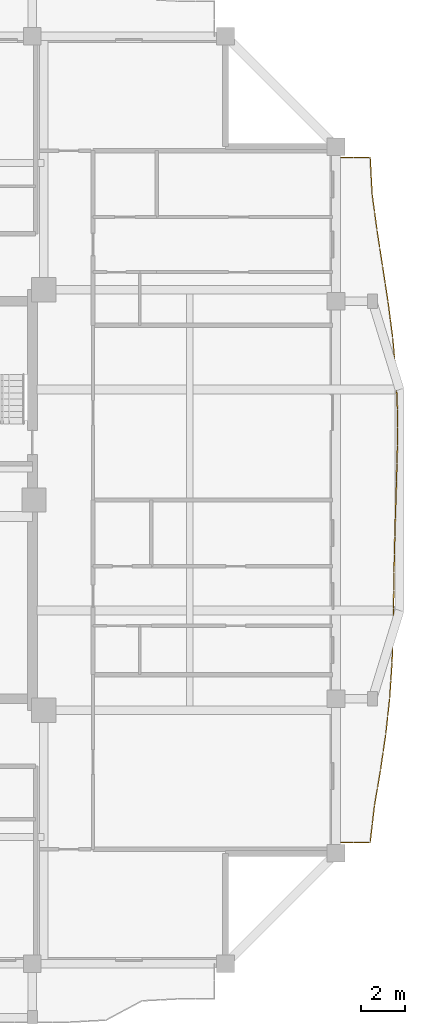
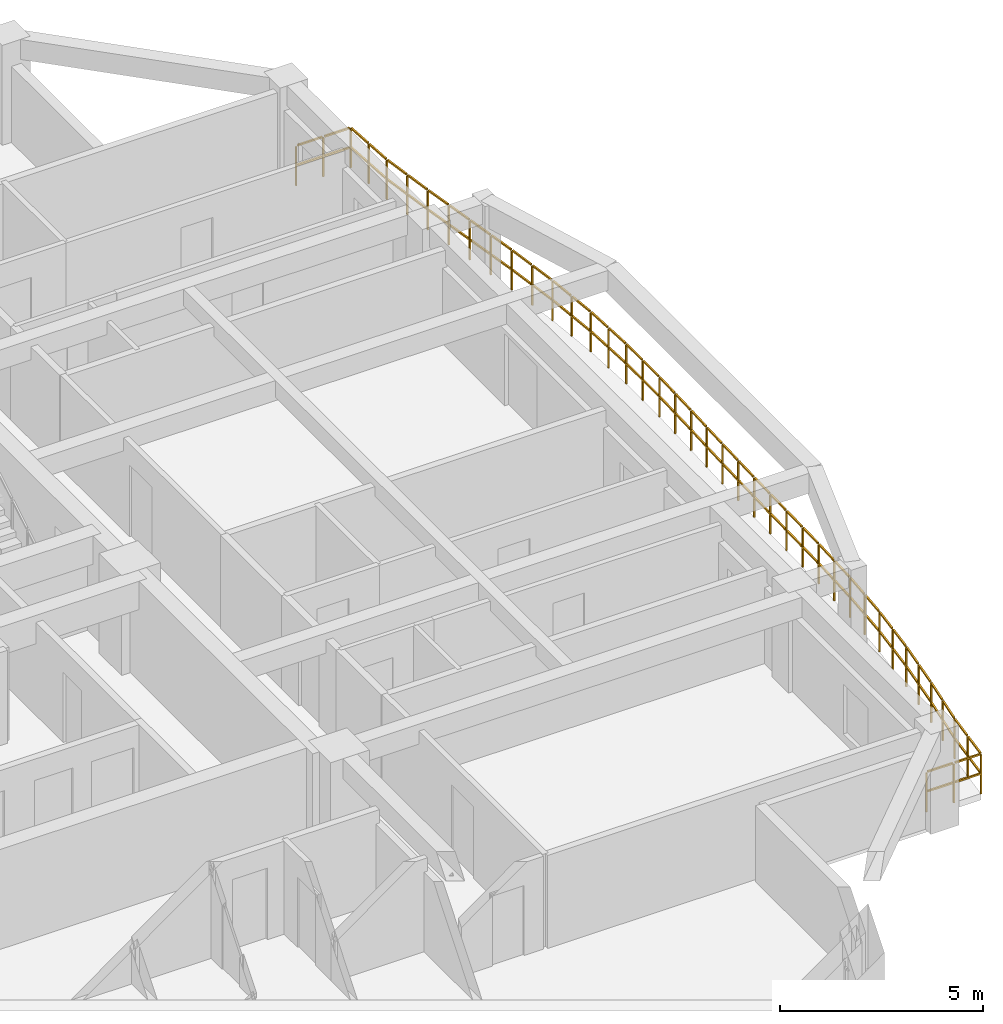
# One storey, part 12 of 13: 1 railing.
"""IFC4 building model written with IfcOpenShell, lengths in metres."""

from ifc_helpers import new_model, si_unit, direction, frame, origin, origin_2d, place, context, subcontext, project, spatial, rectangle, extrude, material, type_object, element, save


model = new_model("IFC4")

# Units and contexts
model_context = context("Model", 3, precision=1e-05, world=origin(), true_north=direction((0.0, 1.0)))
body_context = subcontext(model_context, "Body", "Model", "MODEL_VIEW")
ifc_project = project(units=[si_unit("LENGTHUNIT", "METRE"), si_unit("AREAUNIT", "SQUARE_METRE"), si_unit("VOLUMEUNIT", "CUBIC_METRE"), si_unit("PLANEANGLEUNIT", "RADIAN"), si_unit("MASSUNIT", "GRAM", prefix="KILO")], contexts=[model_context])

# Site, building, storey
site_placement = place(None, origin())
site = spatial("IfcSite", under=ifc_project, at=site_placement, CompositionType="ELEMENT")
building_placement = place(site_placement, origin())
building = spatial("IfcBuilding", under=site, at=building_placement, Name="Saelheon Loggia Tower", CompositionType="ELEMENT")
storey_placement = place(building_placement, frame((0.0, 0.0, 189.699951171875)))
storey = spatial("IfcBuildingStorey", under=building, at=storey_placement, Name="L59", CompositionType="ELEMENT", Elevation=189.699951171875)

# Railing
ifc_material = material(Name="Architectural Precast Concrete and Laminated Glass Guard", Category="concrete")
railing_type = type_object("IfcRailingType", Name="Guard_Loggia_RL_LOG", PredefinedType="BALUSTRADE", material=ifc_material)
railing_placement = place(storey_placement, frame((58.25, 11.5, 0.0)))
element("IfcRailing", 1, at=railing_placement, inside=storey, type_object=railing_type, Name="L59 East Loggia Balustrade", PredefinedType="BALUSTRADE", context=body_context, shape_type="SweptSolid", body=[
    extrude(rectangle(XDim=0.048095703125, YDim=0.048095703125, at=origin_2d()), frame((0.033203125, 0.0, 1.19580078125), z_axis=(1.0, 0.0, 0.0), x_axis=(0.0, 1.0, 0.0)), (0.0, 0.0, 1.0), 0.70849609375),
    extrude(rectangle(XDim=0.048095703125, YDim=0.048095703125, at=origin_2d()), frame((0.033203125, 0.0, 0.60986328125), z_axis=(1.0, 0.0, 0.0), x_axis=(0.0, 1.0, 0.0)), (0.0, 0.0, 1.0), 0.70849609375),
    extrude(rectangle(XDim=0.048095703125, YDim=0.048095703125, at=origin_2d()), frame((0.808349609375, 0.0, 1.19580078125), z_axis=(1.0, 0.0, 0.0), x_axis=(0.0, 1.0, 0.0)), (0.0, 0.0, 1.0), 0.70849609375),
    extrude(rectangle(XDim=0.048095703125, YDim=0.048095703125, at=origin_2d()), frame((0.808349609375, 0.0, 0.60986328125), z_axis=(1.0, 0.0, 0.0), x_axis=(0.0, 1.0, 0.0)), (0.0, 0.0, 1.0), 0.70849609375),
    extrude(rectangle(XDim=0.048095703125, YDim=0.048095703125, at=origin_2d()), frame((1.553955078125, 0.032958984375, 1.19580078125), z_axis=(0.11592713187, 0.993257720884, 0.0), x_axis=(-0.993257720884, 0.11592713187, 0.0)), (0.0, 0.0, 1.0), 0.7548828125),
    extrude(rectangle(XDim=0.048095703125, YDim=0.048095703125, at=origin_2d()), frame((1.553955078125, 0.032958984375, 0.60986328125), z_axis=(0.11592713187, 0.993257720884, 0.0), x_axis=(-0.993257720884, 0.11592713187, 0.0)), (0.0, 0.0, 1.0), 0.7548828125),
    extrude(rectangle(XDim=0.048095703125, YDim=0.048095703125, at=origin_2d()), frame((1.649169921875, 0.848876953125, 1.19580078125), z_axis=(0.11592713187, 0.993257720884, 0.0), x_axis=(-0.993257720884, 0.11592713187, 0.0)), (0.0, 0.0, 1.0), 0.7548828125),
    extrude(rectangle(XDim=0.048095703125, YDim=0.048095703125, at=origin_2d()), frame((1.649169921875, 0.848876953125, 0.60986328125), z_axis=(0.11592713187, 0.993257720884, 0.0), x_axis=(-0.993257720884, 0.11592713187, 0.0)), (0.0, 0.0, 1.0), 0.7548828125),
    extrude(rectangle(XDim=0.048095703125, YDim=0.048095703125, at=origin_2d()), frame((1.74609375, 1.664306640625, 1.19580078125), z_axis=(0.166719283861, 0.98600440181, 0.0), x_axis=(-0.98600440181, 0.166719283861, 0.0)), (0.0, 0.0, 1.0), 0.760986328125),
    extrude(rectangle(XDim=0.048095703125, YDim=0.048095703125, at=origin_2d()), frame((1.74609375, 1.664306640625, 0.60986328125), z_axis=(0.166719283861, 0.98600440181, 0.0), x_axis=(-0.98600440181, 0.166719283861, 0.0)), (0.0, 0.0, 1.0), 0.760986328125),
    extrude(rectangle(XDim=0.048095703125, YDim=0.048095703125, at=origin_2d()), frame((1.884033203125, 2.480224609375, 1.19580078125), z_axis=(0.166719283861, 0.98600440181, 0.0), x_axis=(-0.98600440181, 0.166719283861, 0.0)), (0.0, 0.0, 1.0), 0.760986328125),
    extrude(rectangle(XDim=0.048095703125, YDim=0.048095703125, at=origin_2d()), frame((1.884033203125, 2.480224609375, 0.60986328125), z_axis=(0.166719283861, 0.98600440181, 0.0), x_axis=(-0.98600440181, 0.166719283861, 0.0)), (0.0, 0.0, 1.0), 0.760986328125),
    extrude(rectangle(XDim=0.048095703125, YDim=0.048095703125, at=origin_2d()), frame((2.021240234375, 3.296142578125, 1.19580078125), z_axis=(0.145378914052, 0.989376051534, 0.0), x_axis=(-0.989376051534, 0.145378914052, 0.0)), (0.0, 0.0, 1.0), 0.758056640625),
    extrude(rectangle(XDim=0.048095703125, YDim=0.048095703125, at=origin_2d()), frame((2.021240234375, 3.296142578125, 0.60986328125), z_axis=(0.145378914052, 0.989376051534, 0.0), x_axis=(-0.989376051534, 0.145378914052, 0.0)), (0.0, 0.0, 1.0), 0.758056640625),
    extrude(rectangle(XDim=0.048095703125, YDim=0.048095703125, at=origin_2d()), frame((2.14111328125, 4.11181640625, 1.19580078125), z_axis=(0.145378914052, 0.989376051534, 0.0), x_axis=(-0.989376051534, 0.145378914052, 0.0)), (0.0, 0.0, 1.0), 0.758056640625),
    extrude(rectangle(XDim=0.048095703125, YDim=0.048095703125, at=origin_2d()), frame((2.14111328125, 4.11181640625, 0.60986328125), z_axis=(0.145378914052, 0.989376051534, 0.0), x_axis=(-0.989376051534, 0.145378914052, 0.0)), (0.0, 0.0, 1.0), 0.758056640625),
    extrude(rectangle(XDim=0.048095703125, YDim=0.048095703125, at=origin_2d()), frame((2.259765625, 4.927734375, 1.19580078125), z_axis=(0.107998454426, 0.994151061882, 0.0), x_axis=(-0.994151061882, 0.107998454426, 0.0)), (0.0, 0.0, 1.0), 0.754150390625),
    extrude(rectangle(XDim=0.048095703125, YDim=0.048095703125, at=origin_2d()), frame((2.259765625, 4.927734375, 0.60986328125), z_axis=(0.107998454426, 0.994151061882, 0.0), x_axis=(-0.994151061882, 0.107998454426, 0.0)), (0.0, 0.0, 1.0), 0.754150390625),
    extrude(rectangle(XDim=0.048095703125, YDim=0.048095703125, at=origin_2d()), frame((2.348388671875, 5.74365234375, 1.19580078125), z_axis=(0.107998454426, 0.994151061882, 0.0), x_axis=(-0.994151061882, 0.107998454426, 0.0)), (0.0, 0.0, 1.0), 0.754150390625),
    extrude(rectangle(XDim=0.048095703125, YDim=0.048095703125, at=origin_2d()), frame((2.348388671875, 5.74365234375, 0.60986328125), z_axis=(0.107998454426, 0.994151061882, 0.0), x_axis=(-0.994151061882, 0.107998454426, 0.0)), (0.0, 0.0, 1.0), 0.754150390625),
    extrude(rectangle(XDim=0.048095703125, YDim=0.048095703125, at=origin_2d()), frame((2.435546875, 6.5595703125, 1.19580078125), z_axis=(0.066142438238, 0.997810191301, 0.0), x_axis=(-0.997810191301, 0.066142438238, 0.0)), (0.0, 0.0, 1.0), 0.751220703125),
    extrude(rectangle(XDim=0.048095703125, YDim=0.048095703125, at=origin_2d()), frame((2.435546875, 6.5595703125, 0.60986328125), z_axis=(0.066142438238, 0.997810191301, 0.0), x_axis=(-0.997810191301, 0.066142438238, 0.0)), (0.0, 0.0, 1.0), 0.751220703125),
    extrude(rectangle(XDim=0.048095703125, YDim=0.048095703125, at=origin_2d()), frame((2.48974609375, 7.375244140625, 1.19580078125), z_axis=(0.066142438238, 0.997810191301, 0.0), x_axis=(-0.997810191301, 0.066142438238, 0.0)), (0.0, 0.0, 1.0), 0.751220703125),
    extrude(rectangle(XDim=0.048095703125, YDim=0.048095703125, at=origin_2d()), frame((2.48974609375, 7.375244140625, 0.60986328125), z_axis=(0.066142438238, 0.997810191301, 0.0), x_axis=(-0.997810191301, 0.066142438238, 0.0)), (0.0, 0.0, 1.0), 0.751220703125),
    extrude(rectangle(XDim=0.048095703125, YDim=0.048095703125, at=origin_2d()), frame((2.54248046875, 8.191162109375, 1.19580078125), z_axis=(0.032453343645, 0.999473251511, 0.0), x_axis=(-0.999473251511, 0.032453343645, 0.0)), (0.0, 0.0, 1.0), 0.749755859375),
    extrude(rectangle(XDim=0.048095703125, YDim=0.048095703125, at=origin_2d()), frame((2.54248046875, 8.191162109375, 0.60986328125), z_axis=(0.032453343645, 0.999473251511, 0.0), x_axis=(-0.999473251511, 0.032453343645, 0.0)), (0.0, 0.0, 1.0), 0.749755859375),
    extrude(rectangle(XDim=0.048095703125, YDim=0.048095703125, at=origin_2d()), frame((2.569091796875, 9.007080078125, 1.19580078125), z_axis=(0.032453343645, 0.999473251511, 0.0), x_axis=(-0.999473251511, 0.032453343645, 0.0)), (0.0, 0.0, 1.0), 0.749755859375),
    extrude(rectangle(XDim=0.048095703125, YDim=0.048095703125, at=origin_2d()), frame((2.569091796875, 9.007080078125, 0.60986328125), z_axis=(0.032453343645, 0.999473251511, 0.0), x_axis=(-0.999473251511, 0.032453343645, 0.0)), (0.0, 0.0, 1.0), 0.749755859375),
    extrude(rectangle(XDim=0.048095703125, YDim=0.048095703125, at=origin_2d()), frame((2.594970703125, 9.82275390625, 1.19580078125), z_axis=(0.015559989428, 0.999878936036, 0.0), x_axis=(-0.999878936036, 0.015559989428, 0.0)), (0.0, 0.0, 1.0), 0.74951171875),
    extrude(rectangle(XDim=0.048095703125, YDim=0.048095703125, at=origin_2d()), frame((2.594970703125, 9.82275390625, 0.60986328125), z_axis=(0.015559989428, 0.999878936036, 0.0), x_axis=(-0.999878936036, 0.015559989428, 0.0)), (0.0, 0.0, 1.0), 0.74951171875),
    extrude(rectangle(XDim=0.048095703125, YDim=0.048095703125, at=origin_2d()), frame((2.607666015625, 10.638671875, 1.19580078125), z_axis=(0.015559989428, 0.999878936036, 0.0), x_axis=(-0.999878936036, 0.015559989428, 0.0)), (0.0, 0.0, 1.0), 0.74951171875),
    extrude(rectangle(XDim=0.048095703125, YDim=0.048095703125, at=origin_2d()), frame((2.607666015625, 10.638671875, 0.60986328125), z_axis=(0.015559989428, 0.999878936036, 0.0), x_axis=(-0.999878936036, 0.015559989428, 0.0)), (0.0, 0.0, 1.0), 0.74951171875),
    extrude(rectangle(XDim=0.048095703125, YDim=0.048095703125, at=origin_2d()), frame((2.620361328125, 11.454345703125, 1.19580078125), z_axis=(0.015562317507, 0.999878899804, 0.0), x_axis=(-0.999878899804, 0.015562317507, 0.0)), (0.0, 0.0, 1.0), 0.749267578125),
    extrude(rectangle(XDim=0.048095703125, YDim=0.048095703125, at=origin_2d()), frame((2.620361328125, 11.454345703125, 0.60986328125), z_axis=(0.015562317507, 0.999878899804, 0.0), x_axis=(-0.999878899804, 0.015562317507, 0.0)), (0.0, 0.0, 1.0), 0.749267578125),
    extrude(rectangle(XDim=0.048095703125, YDim=0.048095703125, at=origin_2d()), frame((2.633056640625, 12.27001953125, 1.19580078125), z_axis=(0.015562317507, 0.999878899804, 0.0), x_axis=(-0.999878899804, 0.015562317507, 0.0)), (0.0, 0.0, 1.0), 0.749267578125),
    extrude(rectangle(XDim=0.048095703125, YDim=0.048095703125, at=origin_2d()), frame((2.633056640625, 12.27001953125, 0.60986328125), z_axis=(0.015562317507, 0.999878899804, 0.0), x_axis=(-0.999878899804, 0.015562317507, 0.0)), (0.0, 0.0, 1.0), 0.749267578125),
    extrude(rectangle(XDim=0.048095703125, YDim=0.048095703125, at=origin_2d()), frame((2.64599609375, 13.085693359375, 1.19580078125), z_axis=(0.024980979164, 0.999687926645, 0.0), x_axis=(-0.999687926645, 0.024980979164, 0.0)), (0.0, 0.0, 1.0), 0.74951171875),
    extrude(rectangle(XDim=0.048095703125, YDim=0.048095703125, at=origin_2d()), frame((2.64599609375, 13.085693359375, 0.60986328125), z_axis=(0.024980979164, 0.999687926645, 0.0), x_axis=(-0.999687926645, 0.024980979164, 0.0)), (0.0, 0.0, 1.0), 0.74951171875),
    extrude(rectangle(XDim=0.048095703125, YDim=0.048095703125, at=origin_2d()), frame((2.66650390625, 13.901611328125, 1.19580078125), z_axis=(0.024980979164, 0.999687926645, 0.0), x_axis=(-0.999687926645, 0.024980979164, 0.0)), (0.0, 0.0, 1.0), 0.74951171875),
    extrude(rectangle(XDim=0.048095703125, YDim=0.048095703125, at=origin_2d()), frame((2.66650390625, 13.901611328125, 0.60986328125), z_axis=(0.024980979164, 0.999687926645, 0.0), x_axis=(-0.999687926645, 0.024980979164, 0.0)), (0.0, 0.0, 1.0), 0.74951171875),
    extrude(rectangle(XDim=0.048095703125, YDim=0.048095703125, at=origin_2d()), frame((2.68701171875, 14.71728515625, 1.19580078125), z_axis=(0.032149739476, 0.999483063514, 0.0), x_axis=(-0.999483063514, 0.032149739476, 0.0)), (0.0, 0.0, 1.0), 0.749755859375),
    extrude(rectangle(XDim=0.048095703125, YDim=0.048095703125, at=origin_2d()), frame((2.68701171875, 14.71728515625, 0.60986328125), z_axis=(0.032149739476, 0.999483063514, 0.0), x_axis=(-0.999483063514, 0.032149739476, 0.0)), (0.0, 0.0, 1.0), 0.749755859375),
    extrude(rectangle(XDim=0.048095703125, YDim=0.048095703125, at=origin_2d()), frame((2.71337890625, 15.533203125, 1.19580078125), z_axis=(0.032149739476, 0.999483063514, 0.0), x_axis=(-0.999483063514, 0.032149739476, 0.0)), (0.0, 0.0, 1.0), 0.749755859375),
    extrude(rectangle(XDim=0.048095703125, YDim=0.048095703125, at=origin_2d()), frame((2.71337890625, 15.533203125, 0.60986328125), z_axis=(0.032149739476, 0.999483063514, 0.0), x_axis=(-0.999483063514, 0.032149739476, 0.0)), (0.0, 0.0, 1.0), 0.749755859375),
    extrude(rectangle(XDim=0.048095703125, YDim=0.048095703125, at=origin_2d()), frame((2.739501953125, 16.34912109375, 1.19580078125), z_axis=(0.026027390997, 0.999661230076, 0.0), x_axis=(-0.999661230076, 0.026027390997, 0.0)), (0.0, 0.0, 1.0), 0.74951171875),
    extrude(rectangle(XDim=0.048095703125, YDim=0.048095703125, at=origin_2d()), frame((2.739501953125, 16.34912109375, 0.60986328125), z_axis=(0.026027390997, 0.999661230076, 0.0), x_axis=(-0.999661230076, 0.026027390997, 0.0)), (0.0, 0.0, 1.0), 0.74951171875),
    extrude(rectangle(XDim=0.048095703125, YDim=0.048095703125, at=origin_2d()), frame((2.7607421875, 17.1650390625, 1.19580078125), z_axis=(0.026027390997, 0.999661230076, 0.0), x_axis=(-0.999661230076, 0.026027390997, 0.0)), (0.0, 0.0, 1.0), 0.74951171875),
    extrude(rectangle(XDim=0.048095703125, YDim=0.048095703125, at=origin_2d()), frame((2.7607421875, 17.1650390625, 0.60986328125), z_axis=(0.026027390997, 0.999661230076, 0.0), x_axis=(-0.999661230076, 0.026027390997, 0.0)), (0.0, 0.0, 1.0), 0.74951171875),
    extrude(rectangle(XDim=0.048095703125, YDim=0.048095703125, at=origin_2d()), frame((2.781005859375, 17.980712890625, 1.19580078125), z_axis=(0.000748278749, 0.999999720039, 0.0), x_axis=(-0.999999720039, 0.000748278749, 0.0)), (0.0, 0.0, 1.0), 0.749267578125),
    extrude(rectangle(XDim=0.048095703125, YDim=0.048095703125, at=origin_2d()), frame((2.781005859375, 17.980712890625, 0.60986328125), z_axis=(0.000748278749, 0.999999720039, 0.0), x_axis=(-0.999999720039, 0.000748278749, 0.0)), (0.0, 0.0, 1.0), 0.749267578125),
    extrude(rectangle(XDim=0.048095703125, YDim=0.048095703125, at=origin_2d()), frame((2.78173828125, 18.79638671875, 1.19580078125), z_axis=(0.000748278749, 0.999999720039, 0.0), x_axis=(-0.999999720039, 0.000748278749, 0.0)), (0.0, 0.0, 1.0), 0.749267578125),
    extrude(rectangle(XDim=0.048095703125, YDim=0.048095703125, at=origin_2d()), frame((2.78173828125, 18.79638671875, 0.60986328125), z_axis=(0.000748278749, 0.999999720039, 0.0), x_axis=(-0.999999720039, 0.000748278749, 0.0)), (0.0, 0.0, 1.0), 0.749267578125),
    extrude(rectangle(XDim=0.048095703125, YDim=0.048095703125, at=origin_2d()), frame((2.78076171875, 19.612060546875, 1.19580078125), z_axis=(-0.040666615849, 0.999172771024, 0.0), x_axis=(-0.999172771024, -0.040666615849, 0.0)), (0.0, 0.0, 1.0), 0.75),
    extrude(rectangle(XDim=0.048095703125, YDim=0.048095703125, at=origin_2d()), frame((2.78076171875, 19.612060546875, 0.60986328125), z_axis=(-0.040666615849, 0.999172771024, 0.0), x_axis=(-0.999172771024, -0.040666615849, 0.0)), (0.0, 0.0, 1.0), 0.75),
    extrude(rectangle(XDim=0.048095703125, YDim=0.048095703125, at=origin_2d()), frame((2.74755859375, 20.427978515625, 1.19580078125), z_axis=(-0.040666615849, 0.999172771024, 0.0), x_axis=(-0.999172771024, -0.040666615849, 0.0)), (0.0, 0.0, 1.0), 0.75),
    extrude(rectangle(XDim=0.048095703125, YDim=0.048095703125, at=origin_2d()), frame((2.74755859375, 20.427978515625, 0.60986328125), z_axis=(-0.040666615849, 0.999172771024, 0.0), x_axis=(-0.999172771024, -0.040666615849, 0.0)), (0.0, 0.0, 1.0), 0.75),
    extrude(rectangle(XDim=0.048095703125, YDim=0.048095703125, at=origin_2d()), frame((2.712890625, 21.24365234375, 1.19580078125), z_axis=(-0.088237451096, 0.996099469041, 0.0), x_axis=(-0.996099469041, -0.088237451096, 0.0)), (0.0, 0.0, 1.0), 0.75244140625),
    extrude(rectangle(XDim=0.048095703125, YDim=0.048095703125, at=origin_2d()), frame((2.712890625, 21.24365234375, 0.60986328125), z_axis=(-0.088237451096, 0.996099469041, 0.0), x_axis=(-0.996099469041, -0.088237451096, 0.0)), (0.0, 0.0, 1.0), 0.75244140625),
    extrude(rectangle(XDim=0.048095703125, YDim=0.048095703125, at=origin_2d()), frame((2.640625, 22.059326171875, 1.19580078125), z_axis=(-0.088237451096, 0.996099469041, 0.0), x_axis=(-0.996099469041, -0.088237451096, 0.0)), (0.0, 0.0, 1.0), 0.75244140625),
    extrude(rectangle(XDim=0.048095703125, YDim=0.048095703125, at=origin_2d()), frame((2.640625, 22.059326171875, 0.60986328125), z_axis=(-0.088237451096, 0.996099469041, 0.0), x_axis=(-0.996099469041, -0.088237451096, 0.0)), (0.0, 0.0, 1.0), 0.75244140625),
    extrude(rectangle(XDim=0.048095703125, YDim=0.048095703125, at=origin_2d()), frame((2.56689453125, 22.875, 1.19580078125), z_axis=(-0.128945873012, 0.991651633303, 0.0), x_axis=(-0.991651633303, -0.128945873012, 0.0)), (0.0, 0.0, 1.0), 0.756103515625),
    extrude(rectangle(XDim=0.048095703125, YDim=0.048095703125, at=origin_2d()), frame((2.56689453125, 22.875, 0.60986328125), z_axis=(-0.128945873012, 0.991651633303, 0.0), x_axis=(-0.991651633303, -0.128945873012, 0.0)), (0.0, 0.0, 1.0), 0.756103515625),
    extrude(rectangle(XDim=0.048095703125, YDim=0.048095703125, at=origin_2d()), frame((2.4609375, 23.690673828125, 1.19580078125), z_axis=(-0.128945873012, 0.991651633303, 0.0), x_axis=(-0.991651633303, -0.128945873012, 0.0)), (0.0, 0.0, 1.0), 0.756103515625),
    extrude(rectangle(XDim=0.048095703125, YDim=0.048095703125, at=origin_2d()), frame((2.4609375, 23.690673828125, 0.60986328125), z_axis=(-0.128945873012, 0.991651633303, 0.0), x_axis=(-0.991651633303, -0.128945873012, 0.0)), (0.0, 0.0, 1.0), 0.756103515625),
    extrude(rectangle(XDim=0.048095703125, YDim=0.048095703125, at=origin_2d()), frame((2.35400390625, 24.506591796875, 1.19580078125), z_axis=(-0.151601487322, 0.988441697341, 0.0), x_axis=(-0.988441697341, -0.151601487322, 0.0)), (0.0, 0.0, 1.0), 0.7587890625),
    extrude(rectangle(XDim=0.048095703125, YDim=0.048095703125, at=origin_2d()), frame((2.35400390625, 24.506591796875, 0.60986328125), z_axis=(-0.151601487322, 0.988441697341, 0.0), x_axis=(-0.988441697341, -0.151601487322, 0.0)), (0.0, 0.0, 1.0), 0.7587890625),
    extrude(rectangle(XDim=0.048095703125, YDim=0.048095703125, at=origin_2d()), frame((2.22900390625, 25.322265625, 1.19580078125), z_axis=(-0.151601487322, 0.988441697341, 0.0), x_axis=(-0.988441697341, -0.151601487322, 0.0)), (0.0, 0.0, 1.0), 0.7587890625),
    extrude(rectangle(XDim=0.048095703125, YDim=0.048095703125, at=origin_2d()), frame((2.22900390625, 25.322265625, 0.60986328125), z_axis=(-0.151601487322, 0.988441697341, 0.0), x_axis=(-0.988441697341, -0.151601487322, 0.0)), (0.0, 0.0, 1.0), 0.7587890625),
    extrude(rectangle(XDim=0.048095703125, YDim=0.048095703125, at=origin_2d()), frame((2.103759765625, 26.13818359375, 1.19580078125), z_axis=(-0.152323888709, 0.988330629359, 0.0), x_axis=(-0.988330629359, -0.152323888709, 0.0)), (0.0, 0.0, 1.0), 0.759033203125),
    extrude(rectangle(XDim=0.048095703125, YDim=0.048095703125, at=origin_2d()), frame((2.103759765625, 26.13818359375, 0.60986328125), z_axis=(-0.152323888709, 0.988330629359, 0.0), x_axis=(-0.988330629359, -0.152323888709, 0.0)), (0.0, 0.0, 1.0), 0.759033203125),
    extrude(rectangle(XDim=0.048095703125, YDim=0.048095703125, at=origin_2d()), frame((1.97802734375, 26.953857421875, 1.19580078125), z_axis=(-0.152323888709, 0.988330629359, 0.0), x_axis=(-0.988330629359, -0.152323888709, 0.0)), (0.0, 0.0, 1.0), 0.759033203125),
    extrude(rectangle(XDim=0.048095703125, YDim=0.048095703125, at=origin_2d()), frame((1.97802734375, 26.953857421875, 0.60986328125), z_axis=(-0.152323888709, 0.988330629359, 0.0), x_axis=(-0.988330629359, -0.152323888709, 0.0)), (0.0, 0.0, 1.0), 0.759033203125),
    extrude(rectangle(XDim=0.048095703125, YDim=0.048095703125, at=origin_2d()), frame((1.85302734375, 27.769775390625, 1.19580078125), z_axis=(-0.134484591682, 0.99091568491, 0.0), x_axis=(-0.99091568491, -0.134484591682, 0.0)), (0.0, 0.0, 1.0), 0.7568359375),
    extrude(rectangle(XDim=0.048095703125, YDim=0.048095703125, at=origin_2d()), frame((1.85302734375, 27.769775390625, 0.60986328125), z_axis=(-0.134484591682, 0.99091568491, 0.0), x_axis=(-0.99091568491, -0.134484591682, 0.0)), (0.0, 0.0, 1.0), 0.7568359375),
    extrude(rectangle(XDim=0.048095703125, YDim=0.048095703125, at=origin_2d()), frame((1.7421875, 28.58544921875, 1.19580078125), z_axis=(-0.134484591682, 0.99091568491, 0.0), x_axis=(-0.99091568491, -0.134484591682, 0.0)), (0.0, 0.0, 1.0), 0.7568359375),
    extrude(rectangle(XDim=0.048095703125, YDim=0.048095703125, at=origin_2d()), frame((1.7421875, 28.58544921875, 0.60986328125), z_axis=(-0.134484591682, 0.99091568491, 0.0), x_axis=(-0.99091568491, -0.134484591682, 0.0)), (0.0, 0.0, 1.0), 0.7568359375),
    extrude(rectangle(XDim=0.048095703125, YDim=0.048095703125, at=origin_2d()), frame((1.63427734375, 29.401611328125, 1.19580078125), z_axis=(-0.052598047159, 0.998615764664, 0.0), x_axis=(-0.998615764664, -0.052598047159, 0.0)), (0.0, 0.0, 1.0), 0.75048828125),
    extrude(rectangle(XDim=0.048095703125, YDim=0.048095703125, at=origin_2d()), frame((1.63427734375, 29.401611328125, 0.60986328125), z_axis=(-0.052598047159, 0.998615764664, 0.0), x_axis=(-0.998615764664, -0.052598047159, 0.0)), (0.0, 0.0, 1.0), 0.75048828125),
    extrude(rectangle(XDim=0.048095703125, YDim=0.048095703125, at=origin_2d()), frame((1.59130859375, 30.21728515625, 1.19580078125), z_axis=(-0.052598047159, 0.998615764664, 0.0), x_axis=(-0.998615764664, -0.052598047159, 0.0)), (0.0, 0.0, 1.0), 0.75048828125),
    extrude(rectangle(XDim=0.048095703125, YDim=0.048095703125, at=origin_2d()), frame((1.59130859375, 30.21728515625, 0.60986328125), z_axis=(-0.052598047159, 0.998615764664, 0.0), x_axis=(-0.998615764664, -0.052598047159, 0.0)), (0.0, 0.0, 1.0), 0.75048828125),
    extrude(rectangle(XDim=0.048095703125, YDim=0.048095703125, at=origin_2d()), frame((1.516845703125, 31.0, 1.19580078125), z_axis=(-1.0, 0.0, 0.0), x_axis=(0.0, -1.0, 0.0)), (0.0, 0.0, 1.0), 0.70849609375),
    extrude(rectangle(XDim=0.048095703125, YDim=0.048095703125, at=origin_2d()), frame((1.516845703125, 31.0, 0.60986328125), z_axis=(-1.0, 0.0, 0.0), x_axis=(0.0, -1.0, 0.0)), (0.0, 0.0, 1.0), 0.70849609375),
    extrude(rectangle(XDim=0.048095703125, YDim=0.048095703125, at=origin_2d()), frame((0.74169921875, 31.0, 1.19580078125), z_axis=(-1.0, 0.0, 0.0), x_axis=(0.0, -1.0, 0.0)), (0.0, 0.0, 1.0), 0.70849609375),
    extrude(rectangle(XDim=0.048095703125, YDim=0.048095703125, at=origin_2d()), frame((0.74169921875, 31.0, 0.60986328125), z_axis=(-1.0, 0.0, 0.0), x_axis=(0.0, -1.0, 0.0)), (0.0, 0.0, 1.0), 0.70849609375),
    extrude(rectangle(XDim=0.0419921875, YDim=0.0419921875, at=origin_2d()), origin(), (0.0, 0.0, 1.0), 1.16796875),
    extrude(rectangle(XDim=0.0419921875, YDim=0.0419921875, at=origin_2d()), frame((0.77490234375, 0.0, 0.0)), (0.0, 0.0, 1.0), 1.16796875),
    extrude(rectangle(XDim=0.0419921875, YDim=0.0419921875, at=origin_2d()), frame((1.550048828125, 0.0, 0.0)), (0.0, 0.0, 1.0), 1.16796875),
    extrude(rectangle(XDim=0.0419921875, YDim=0.0419921875, at=origin_2d()), frame((1.645263671875, 0.81591796875, 0.0)), (0.0, 0.0, 1.0), 1.16796875),
    extrude(rectangle(XDim=0.0419921875, YDim=0.0419921875, at=origin_2d()), frame((1.740478515625, 1.631591796875, 0.0)), (0.0, 0.0, 1.0), 1.16796875),
    extrude(rectangle(XDim=0.0419921875, YDim=0.0419921875, at=origin_2d()), frame((1.87841796875, 2.447265625, 0.0)), (0.0, 0.0, 1.0), 1.16796875),
    extrude(rectangle(XDim=0.0419921875, YDim=0.0419921875, at=origin_2d()), frame((2.016357421875, 3.26318359375, 0.0)), (0.0, 0.0, 1.0), 1.16796875),
    extrude(rectangle(XDim=0.0419921875, YDim=0.0419921875, at=origin_2d()), frame((2.13623046875, 4.0791015625, 0.0)), (0.0, 0.0, 1.0), 1.16796875),
    extrude(rectangle(XDim=0.0419921875, YDim=0.0419921875, at=origin_2d()), frame((2.256103515625, 4.894775390625, 0.0)), (0.0, 0.0, 1.0), 1.16796875),
    extrude(rectangle(XDim=0.0419921875, YDim=0.0419921875, at=origin_2d()), frame((2.3447265625, 5.71044921875, 0.0)), (0.0, 0.0, 1.0), 1.16796875),
    extrude(rectangle(XDim=0.0419921875, YDim=0.0419921875, at=origin_2d()), frame((2.433349609375, 6.5263671875, 0.0)), (0.0, 0.0, 1.0), 1.16796875),
    extrude(rectangle(XDim=0.0419921875, YDim=0.0419921875, at=origin_2d()), frame((2.4873046875, 7.34228515625, 0.0)), (0.0, 0.0, 1.0), 1.16796875),
    extrude(rectangle(XDim=0.0419921875, YDim=0.0419921875, at=origin_2d()), frame((2.54150390625, 8.157958984375, 0.0)), (0.0, 0.0, 1.0), 1.16796875),
    extrude(rectangle(XDim=0.0419921875, YDim=0.0419921875, at=origin_2d()), frame((2.56787109375, 8.9736328125, 0.0)), (0.0, 0.0, 1.0), 1.16796875),
    extrude(rectangle(XDim=0.0419921875, YDim=0.0419921875, at=origin_2d()), frame((2.594482421875, 9.78955078125, 0.0)), (0.0, 0.0, 1.0), 1.16796875),
    extrude(rectangle(XDim=0.0419921875, YDim=0.0419921875, at=origin_2d()), frame((2.607177734375, 10.60546875, 0.0)), (0.0, 0.0, 1.0), 1.16796875),
    extrude(rectangle(XDim=0.0419921875, YDim=0.0419921875, at=origin_2d()), frame((2.619873046875, 11.421142578125, 0.0)), (0.0, 0.0, 1.0), 1.16796875),
    extrude(rectangle(XDim=0.0419921875, YDim=0.0419921875, at=origin_2d()), frame((2.632568359375, 12.23681640625, 0.0)), (0.0, 0.0, 1.0), 1.16796875),
    extrude(rectangle(XDim=0.0419921875, YDim=0.0419921875, at=origin_2d()), frame((2.645263671875, 13.052490234375, 0.0)), (0.0, 0.0, 1.0), 1.16796875),
    extrude(rectangle(XDim=0.0419921875, YDim=0.0419921875, at=origin_2d()), frame((2.66552734375, 13.8681640625, 0.0)), (0.0, 0.0, 1.0), 1.16796875),
    extrude(rectangle(XDim=0.0419921875, YDim=0.0419921875, at=origin_2d()), frame((2.68603515625, 14.68408203125, 0.0)), (0.0, 0.0, 1.0), 1.16796875),
    extrude(rectangle(XDim=0.0419921875, YDim=0.0419921875, at=origin_2d()), frame((2.71240234375, 15.5, 0.0)), (0.0, 0.0, 1.0), 1.16796875),
    extrude(rectangle(XDim=0.0419921875, YDim=0.0419921875, at=origin_2d()), frame((2.738525390625, 16.31591796875, 0.0)), (0.0, 0.0, 1.0), 1.16796875),
    extrude(rectangle(XDim=0.0419921875, YDim=0.0419921875, at=origin_2d()), frame((2.759765625, 17.1318359375, 0.0)), (0.0, 0.0, 1.0), 1.16796875),
    extrude(rectangle(XDim=0.0419921875, YDim=0.0419921875, at=origin_2d()), frame((2.781005859375, 17.947509765625, 0.0)), (0.0, 0.0, 1.0), 1.16796875),
    extrude(rectangle(XDim=0.0419921875, YDim=0.0419921875, at=origin_2d()), frame((2.78173828125, 18.76318359375, 0.0)), (0.0, 0.0, 1.0), 1.16796875),
    extrude(rectangle(XDim=0.0419921875, YDim=0.0419921875, at=origin_2d()), frame((2.7822265625, 19.578857421875, 0.0)), (0.0, 0.0, 1.0), 1.16796875),
    extrude(rectangle(XDim=0.0419921875, YDim=0.0419921875, at=origin_2d()), frame((2.7490234375, 20.39453125, 0.0)), (0.0, 0.0, 1.0), 1.16796875),
    extrude(rectangle(XDim=0.0419921875, YDim=0.0419921875, at=origin_2d()), frame((2.7158203125, 21.21044921875, 0.0)), (0.0, 0.0, 1.0), 1.16796875),
    extrude(rectangle(XDim=0.0419921875, YDim=0.0419921875, at=origin_2d()), frame((2.6435546875, 22.0263671875, 0.0)), (0.0, 0.0, 1.0), 1.16796875),
    extrude(rectangle(XDim=0.0419921875, YDim=0.0419921875, at=origin_2d()), frame((2.5712890625, 22.842041015625, 0.0)), (0.0, 0.0, 1.0), 1.16796875),
    extrude(rectangle(XDim=0.0419921875, YDim=0.0419921875, at=origin_2d()), frame((2.46533203125, 23.65771484375, 0.0)), (0.0, 0.0, 1.0), 1.16796875),
    extrude(rectangle(XDim=0.0419921875, YDim=0.0419921875, at=origin_2d()), frame((2.359130859375, 24.4736328125, 0.0)), (0.0, 0.0, 1.0), 1.16796875),
    extrude(rectangle(XDim=0.0419921875, YDim=0.0419921875, at=origin_2d()), frame((2.23388671875, 25.28955078125, 0.0)), (0.0, 0.0, 1.0), 1.16796875),
    extrude(rectangle(XDim=0.0419921875, YDim=0.0419921875, at=origin_2d()), frame((2.10888671875, 26.105224609375, 0.0)), (0.0, 0.0, 1.0), 1.16796875),
    extrude(rectangle(XDim=0.0419921875, YDim=0.0419921875, at=origin_2d()), frame((1.983154296875, 26.9208984375, 0.0)), (0.0, 0.0, 1.0), 1.16796875),
    extrude(rectangle(XDim=0.0419921875, YDim=0.0419921875, at=origin_2d()), frame((1.857421875, 27.73681640625, 0.0)), (0.0, 0.0, 1.0), 1.16796875),
    extrude(rectangle(XDim=0.0419921875, YDim=0.0419921875, at=origin_2d()), frame((1.74658203125, 28.552734375, 0.0)), (0.0, 0.0, 1.0), 1.16796875),
    extrude(rectangle(XDim=0.0419921875, YDim=0.0419921875, at=origin_2d()), frame((1.635986328125, 29.368408203125, 0.0)), (0.0, 0.0, 1.0), 1.16796875),
    extrude(rectangle(XDim=0.0419921875, YDim=0.0419921875, at=origin_2d()), frame((1.593017578125, 30.18408203125, 0.0)), (0.0, 0.0, 1.0), 1.16796875),
    extrude(rectangle(XDim=0.0419921875, YDim=0.0419921875, at=origin_2d()), frame((1.550048828125, 31.0, 0.0)), (0.0, 0.0, 1.0), 1.16796875),
    extrude(rectangle(XDim=0.0419921875, YDim=0.0419921875, at=origin_2d()), frame((0.77490234375, 31.0, 0.0)), (0.0, 0.0, 1.0), 1.16796875),
    extrude(rectangle(XDim=0.0419921875, YDim=0.0419921875, at=origin_2d()), frame((0.0, 31.0, 0.0)), (0.0, 0.0, 1.0), 1.16796875),
])

save(model, "model.ifc")
